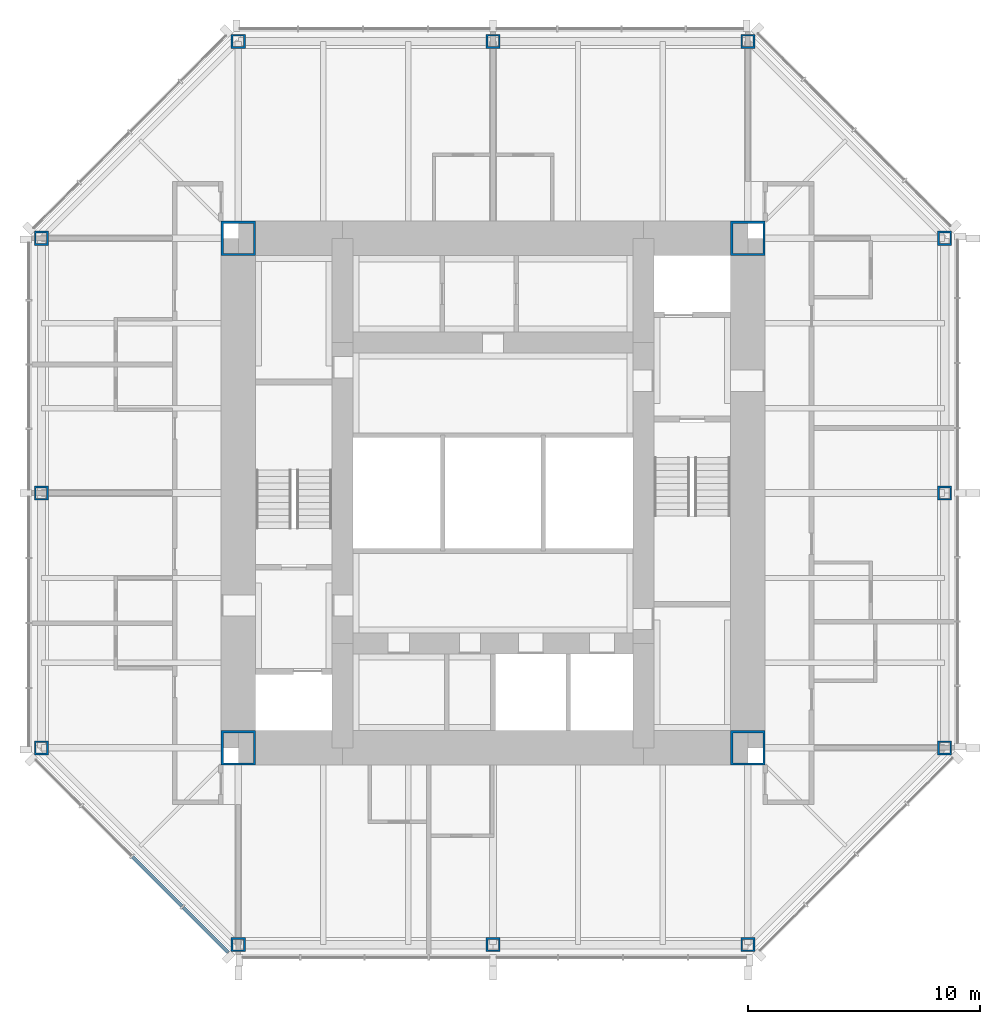
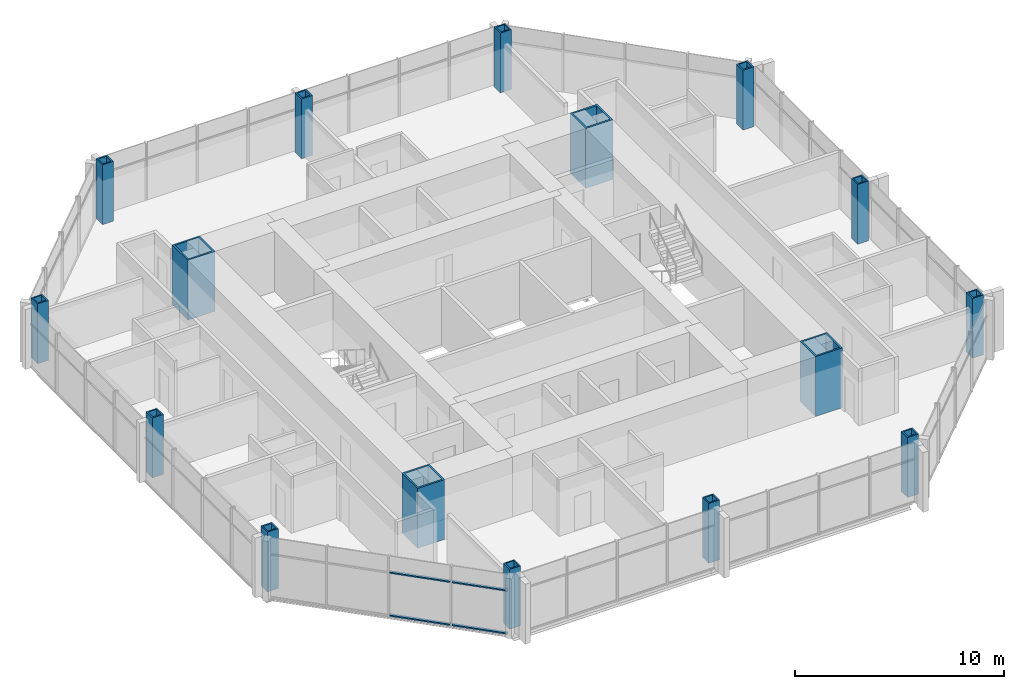
# One storey, part 1 of 11: 16 columns, 4 members, 1 element without a shape of its own.
"""IFC4 building model written with IfcOpenShell, lengths in metres."""

import ifcopenshell
import ifcopenshell.guid

model = None  # the IFC model being written
_history = None  # IfcOwnerHistory: only IFC2X3 demands one
_inside = {}  # id of a spatial element -> (the spatial element, [elements in it])
_under = {}  # id of a project, library or spatial element -> (it, [spatial elements below it])
_declared = {}  # id of a project -> (the project, [libraries it declares])
_typed = {}  # id of a type object -> (the type object, [elements of that type])
_made_of = {}  # id of a material, layer set ... -> (it, [elements and type objects made of it])


def new_model(schema):
    """Start an empty IFC model of exactly this schema.

    Asked for "IFC4X3", IfcOpenShell would pick the latest addendum, in which some entities
    have other attributes; the version numbers below select the first issue.
    IFC2X3 requires an IfcOwnerHistory on every rooted entity: one is made here for all.
    """
    global model, _history
    if schema == "IFC4X3":
        model = ifcopenshell.file(schema_version=(4, 3, 0, 0))
    else:
        model = ifcopenshell.file(schema=schema)
    _inside.clear()
    _under.clear()
    _declared.clear()
    _typed.clear()
    _made_of.clear()
    _history = None
    if model.schema == "IFC2X3":
        org = make("IfcOrganization", Name="unknown")
        user = make(
            "IfcPersonAndOrganization",
            ThePerson=make("IfcPerson", FamilyName="unknown"),
            TheOrganization=org,
        )
        app = make(
            "IfcApplication",
            ApplicationDeveloper=org,
            Version="unknown",
            ApplicationFullName="unknown",
            ApplicationIdentifier="unknown",
        )
        _history = make(
            "IfcOwnerHistory",
            OwningUser=user,
            OwningApplication=app,
            ChangeAction="ADDED",
            CreationDate=0,
        )
    return model


def make(cls, **values):
    """One entity of the class cls with the attributes given. An attribute that is None is left unset."""
    return model.create_entity(
        cls, **{name: value for name, value in values.items() if value is not None}
    )


def rooted(cls, **values):
    """An entity with a GlobalId (a new one), such as an element, a storey or a relation."""
    return make(cls, GlobalId=ifcopenshell.guid.new(), OwnerHistory=_history, **values)


def si_unit(unit_type, name, prefix=None):
    """IfcSIUnit, for example si_unit("LENGTHUNIT", "METRE", prefix="MILLI")."""
    return make("IfcSIUnit", UnitType=unit_type, Prefix=prefix, Name=name)


def assignment(units):
    """IfcUnitAssignment: the units of a project."""
    return None if units is None else make("IfcUnitAssignment", Units=units)


def point(xyz):
    """IfcCartesianPoint."""
    return None if xyz is None else make("IfcCartesianPoint", Coordinates=xyz)


def direction(xyz):
    """IfcDirection."""
    return None if xyz is None else make("IfcDirection", DirectionRatios=xyz)


def frame(location, z_axis=None, x_axis=None):
    """IfcAxis2Placement3D, a coordinate frame: its origin and axes. An axis left out is left unset."""
    return make(
        "IfcAxis2Placement3D",
        Location=point(location),
        Axis=direction(z_axis),
        RefDirection=direction(x_axis),
    )


def frame_2d(location, x_axis=None):
    """IfcAxis2Placement2D, a coordinate frame in the plane: its origin and x axis."""
    return make(
        "IfcAxis2Placement2D", Location=point(location), RefDirection=direction(x_axis)
    )


def origin():
    """The frame at (0, 0, 0) with its axes left unset."""
    return frame((0.0, 0.0, 0.0))


def origin_2d():
    """The frame at (0, 0) in the plane with its x axis left unset."""
    return frame_2d((0.0, 0.0))


def place(relative_to, where):
    """IfcLocalPlacement: puts the frame where relative to a parent placement (None: the world)."""
    return make(
        "IfcLocalPlacement", PlacementRelTo=relative_to, RelativePlacement=where
    )


def context(
    kind, dimensions, precision=None, world=None, true_north=None, identifier=None
):
    """IfcGeometricRepresentationContext, for example the 3D "Model" context."""
    return make(
        "IfcGeometricRepresentationContext",
        ContextIdentifier=identifier,
        ContextType=kind,
        CoordinateSpaceDimension=dimensions,
        Precision=precision,
        WorldCoordinateSystem=world,
        TrueNorth=true_north,
    )


def subcontext(parent, identifier, kind, view, scale=None):
    """IfcGeometricRepresentationSubContext, for example "Body" below "Model"."""
    return make(
        "IfcGeometricRepresentationSubContext",
        ContextIdentifier=identifier,
        ContextType=kind,
        ParentContext=parent,
        TargetScale=scale,
        TargetView=view,
    )


def project(units=None, contexts=None):
    """IfcProject with its units and contexts."""
    return rooted(
        "IfcProject",
        Name="project",
        RepresentationContexts=contexts,
        UnitsInContext=assignment(units),
    )


def spatial(cls, under=None, at=None, **own):
    """A site, building, storey or space (cls), placed at a placement, below another one or the project."""
    s = rooted(cls, ObjectPlacement=at, **own)
    if under is not None:
        _under.setdefault(under.id(), (under, []))[1].append(s)
    return s


def profile(cls, at=None, kind="AREA", **sizes):
    """A parametric profile (cls). Its sizes go by their IFC names, for example OverallWidth=200.0."""
    return make(cls, ProfileType=kind, Position=at, **sizes)


def rectangle(**sizes):
    """IfcRectangleProfileDef."""
    return profile("IfcRectangleProfileDef", **sizes)


def hollow_rectangle(**sizes):
    """IfcRectangleHollowProfileDef."""
    return profile("IfcRectangleHollowProfileDef", **sizes)


def extrude(swept, where, along, depth):
    """IfcExtrudedAreaSolid: the profile swept, set in the frame where, extruded along a direction by depth."""
    return make(
        "IfcExtrudedAreaSolid",
        SweptArea=swept,
        Position=where,
        ExtrudedDirection=direction(along),
        Depth=depth,
    )


def shape(context_of_items, identifier, shape_type, items):
    """IfcShapeRepresentation: the items that make up one representation, for example the "Body"."""
    return make(
        "IfcShapeRepresentation",
        ContextOfItems=context_of_items,
        RepresentationIdentifier=identifier,
        RepresentationType=shape_type,
        Items=items,
    )


def material(Name=None, Category=None):
    """IfcMaterial."""
    return make("IfcMaterial", Name=Name, Category=Category)


def material_profile(
    of_material, cross_section, Name=None, Category=None, Priority=None
):
    """IfcMaterialProfile: a cross section and its material."""
    return make(
        "IfcMaterialProfile",
        Name=Name,
        Material=of_material,
        Profile=cross_section,
        Priority=Priority,
        Category=Category,
    )


def profile_set(profiles, Name=None, composite=None):
    """IfcMaterialProfileSet."""
    return make(
        "IfcMaterialProfileSet",
        Name=Name,
        MaterialProfiles=profiles,
        CompositeProfile=composite,
    )


def made_of(thing, what):
    """Note that an element or type object is made of a material, layer set ...; save() writes the relation."""
    if what is not None:
        _made_of.setdefault(what.id(), (what, []))[1].append(thing)
    return thing


def type_object(cls, material=None, **own):
    """A type object (cls), such as IfcWallType, which elements share."""
    return made_of(rooted(cls, **own), material)


def element(
    cls,
    number,
    at=None,
    inside=None,
    cuts=None,
    type_object=None,
    material=None,
    context=None,
    identifier="Body",
    shape_type=None,
    held_by="IfcProductDefinitionShape",
    body=None,
    shapes=None,
    **own,
):
    """One element of the class cls, such as IfcWall. Its Tag is "e" and its number.

    at: its placement. inside: the storey or other place that contains it. cuts: it is an
    opening in that element (IfcRelVoidsElement). A single representation is given by context,
    identifier, shape_type and body (its items); several are given by shapes. held_by: the class
    of the entity that holds the representations. save() writes the other relations.
    """
    e = rooted(cls, Tag="e%d" % number, ObjectPlacement=at, **own)
    if body is not None:
        shapes = [shape(context, identifier, shape_type, body)]
    if shapes is not None:
        e.Representation = make(held_by, Representations=shapes)
    if inside is not None:
        _inside.setdefault(inside.id(), (inside, []))[1].append(e)
    if cuts is not None:
        rooted(
            "IfcRelVoidsElement", RelatingBuildingElement=cuts, RelatedOpeningElement=e
        )
    if type_object is not None:
        _typed.setdefault(type_object.id(), (type_object, []))[1].append(e)
    return made_of(e, material)


def aggregate(whole, parts):
    """IfcRelAggregates: a whole, such as a stair, and the parts it consists of."""
    return rooted("IfcRelAggregates", RelatingObject=whole, RelatedObjects=parts)


def save(model, path):
    """Write the relations noted so far, then the file.

    IfcRelAggregates (storeys below a building ...), IfcRelContainedInSpatialStructure (elements
    in a storey), IfcRelDefinesByType, IfcRelAssociatesMaterial and IfcRelDeclares: one each for
    every whole, place, type object, material and project.
    """
    for whole, parts in _under.values():
        aggregate(whole, parts)
    for where, things in _inside.values():
        rooted(
            "IfcRelContainedInSpatialStructure",
            RelatedElements=things,
            RelatingStructure=where,
        )
    for kind, things in _typed.values():
        rooted("IfcRelDefinesByType", RelatedObjects=things, RelatingType=kind)
    for what, things in _made_of.values():
        rooted("IfcRelAssociatesMaterial", RelatedObjects=things, RelatingMaterial=what)
    for by, libraries in _declared.values():
        rooted("IfcRelDeclares", RelatingContext=by, RelatedDefinitions=libraries)
    model.write(path)


model = new_model("IFC4")

# Units and contexts
model_context = context("Model", 3, precision=1e-05, world=origin(), true_north=direction((0.0, 1.0)))
body_context = subcontext(model_context, "Body", "Model", "MODEL_VIEW")
ifc_project = project(units=[si_unit("LENGTHUNIT", "METRE"), si_unit("AREAUNIT", "SQUARE_METRE"), si_unit("VOLUMEUNIT", "CUBIC_METRE"), si_unit("PLANEANGLEUNIT", "RADIAN"), si_unit("MASSUNIT", "GRAM", prefix="KILO")], contexts=[model_context])

# Site, building, storey
site_placement = place(None, origin())
site = spatial("IfcSite", under=ifc_project, at=site_placement, CompositionType="ELEMENT")
building_placement = place(site_placement, origin())
building = spatial("IfcBuilding", under=site, at=building_placement, Name="Trevanion Tower", CompositionType="ELEMENT")
storey_placement = place(building_placement, frame((0.0, 0.0, 225.699951171875)))
storey = spatial("IfcBuildingStorey", under=building, at=storey_placement, Name="L54", CompositionType="ELEMENT", Elevation=225.699951171875)

# Columns
ifc_material_1 = material(Name="Steel ASTM A572 Grade 50", Category="steel")
ifc_material_profile_1 = material_profile(ifc_material_1, hollow_rectangle(XDim=0.609619140625, YDim=0.609619140625, WallThickness=0.076171875, at=origin_2d()), Name="BOX24X24X3")
ifc_profile_set_1 = profile_set([ifc_material_profile_1], Name="Steel ASTM A572 Grade 50")
column_type_1 = type_object("IfcColumnType", Name="C5 BOX24X24X3", PredefinedType="COLUMN", material=ifc_profile_set_1)
for number, where, z_axis, x_axis, name in (
    (1, (-19.5, 0.0, 0.0), (0.0, 0.0, 1.0), (0.0, 1.0, 0.0), "C5 5/H L54"),
    (2, (-19.5, -11.0, 0.0), (0.0, 0.0, 1.0), (0.0, 1.0, 0.0), "C5 5/F L54"),
    (3, (-11.0, -19.5, 0.0), (0.0, 0.0, 1.0), (1.0, 0.0, 0.0), "C5 8/C L54"),
    (4, (0.0, -19.5, 0.0), (0.0, 0.0, 1.0), (1.0, 0.0, 0.0), "C5 10/C L54"),
    (5, (11.0, -19.5, 0.0), (0.0, 0.0, 1.0), (1.0, 0.0, 0.0), "C5 12/C L54"),
    (6, (19.5, -11.0, 0.0), (0.0, 0.0, 1.0), (0.0, 1.0, 0.0), "C5 15/F L54"),
    (7, (19.5, 0.0, 0.0), (0.0, 0.0, 1.0), (0.0, 1.0, 0.0), "C5 15/H L54"),
    (8, (19.5, 11.0, 0.0), (0.0, 0.0, 1.0), (0.0, 1.0, 0.0), "C5 15/K L54"),
    (9, (11.0, 19.5, 0.0), (0.0, 0.0, 1.0), (1.0, 0.0, 0.0), "C5 12/N L54"),
    (10, (0.0, 19.5, 0.0), (0.0, 0.0, 1.0), (1.0, 0.0, 0.0), "C5 10/N L54"),
    (11, (-11.0, 19.5, 0.0), (0.0, 0.0, 1.0), (1.0, 0.0, 0.0), "C5 8/N L54"),
    (12, (-19.5, 11.0, 0.0), (0.0, 0.0, 1.0), (0.0, 1.0, 0.0), "C5 5/K L54"),
):
    element("IfcColumn", number, at=place(storey_placement, frame(where, z_axis=z_axis, x_axis=x_axis)), inside=storey, type_object=column_type_1, Name=name, PredefinedType="COLUMN", context=body_context, shape_type="SweptSolid", body=[
        extrude(hollow_rectangle(XDim=0.609619140625, YDim=0.609619140625, WallThickness=0.076171875, at=origin_2d()), origin(), (0.0, 0.0, 1.0), 3.5),
    ])
ifc_material_2 = material(Name="Steel ASTM A572 Grade 50", Category="steel")
ifc_material_profile_2 = material_profile(ifc_material_2, hollow_rectangle(XDim=1.49853515625, YDim=1.49853515625, WallThickness=0.1015625, at=origin_2d()), Name="BOX59X59X4")
ifc_profile_set_2 = profile_set([ifc_material_profile_2], Name="Steel ASTM A572 Grade 50")
column_type_2 = type_object("IfcColumnType", Name="CB1 BOX59X59X4", PredefinedType="COLUMN", material=ifc_profile_set_2)
for number, where, z_axis, x_axis, name in (
    (13, (11.0, 11.0, 0.0), (0.0, 0.0, 1.0), (1.0, 0.0, 0.0), "CB1 NE L54"),
    (14, (-11.0, 11.0, 0.0), (0.0, 0.0, 1.0), (1.0, 0.0, 0.0), "CB1 NW L54"),
    (15, (-11.0, -11.0, 0.0), (0.0, 0.0, 1.0), (1.0, 0.0, 0.0), "CB1 SW L54"),
    (16, (11.0, -11.0, 0.0), (0.0, 0.0, 1.0), (1.0, 0.0, 0.0), "CB1 SE L54"),
):
    element("IfcColumn", number, at=place(storey_placement, frame(where, z_axis=z_axis, x_axis=x_axis)), inside=storey, type_object=column_type_2, Name=name, PredefinedType="COLUMN", context=body_context, shape_type="SweptSolid", body=[
        extrude(hollow_rectangle(XDim=1.49853515625, YDim=1.49853515625, WallThickness=0.1015625, at=origin_2d()), origin(), (0.0, 0.0, 1.0), 3.5),
    ])

# Curtain wall, members
ifc_material_3 = material(Name="Aluminium and glass", Category="aluminium")
curtain_wall_type = type_object("IfcCurtainWallType", Name="CW3 curtain wall", PredefinedType="USERDEFINED", material=ifc_material_3)
curtain_wall_placement = place(storey_placement, origin())
curtain_wall = element("IfcCurtainWall", 17, at=curtain_wall_placement, inside=storey, type_object=curtain_wall_type, Name="CW3 L54 5", ObjectType="UNITISED CURTAIN WALL", PredefinedType="USERDEFINED")
ifc_material_4 = material(Name="Aluminium extrusion, anodised bronze", Category="aluminium")
ifc_material_profile_3 = material_profile(ifc_material_4, rectangle(XDim=0.14990234375, YDim=0.074951171875, at=origin_2d()), Name="CW3 transom")
ifc_profile_set_3 = profile_set([ifc_material_profile_3], Name="Aluminium extrusion, anodised bronze")
member_type = type_object("IfcMemberType", Name="CW3 transom", PredefinedType="USERDEFINED", material=ifc_profile_set_3)
member_1_placement = place(storey_placement, frame((-15.56640625, -15.71142578125, -0.15234375), z_axis=(0.707106781187, -0.707106781187, 0.0), x_axis=(0.707106781187, 0.707106781187, 0.0)))
member_1 = element("IfcMember", 18, at=member_1_placement, type_object=member_type, Name="CW3 transom 3.1", ObjectType="TRANSOM", PredefinedType="USERDEFINED", context=body_context, shape_type="SweptSolid", body=[
    extrude(rectangle(XDim=0.14990234375, YDim=0.074951171875, at=origin_2d()), origin(), (0.0, 0.0, 1.0), 3.011474609375),
])
member_2_placement = place(storey_placement, frame((-15.56640625, -15.71142578125, 2.360107421875), z_axis=(0.707106781187, -0.707106781187, 0.0), x_axis=(0.707106781187, 0.707106781187, 0.0)))
member_2 = element("IfcMember", 19, at=member_2_placement, type_object=member_type, Name="CW3 transom 3.2", ObjectType="TRANSOM", PredefinedType="USERDEFINED", context=body_context, shape_type="SweptSolid", body=[
    extrude(rectangle(XDim=0.14990234375, YDim=0.074951171875, at=origin_2d()), origin(), (0.0, 0.0, 1.0), 3.011474609375),
])
member_3_placement = place(storey_placement, frame((-13.3837890625, -17.89404296875, -0.15234375), z_axis=(0.707106781187, -0.707106781187, 0.0), x_axis=(0.707106781187, 0.707106781187, 0.0)))
member_3 = element("IfcMember", 20, at=member_3_placement, type_object=member_type, Name="CW3 transom 4.1", ObjectType="TRANSOM", PredefinedType="USERDEFINED", context=body_context, shape_type="SweptSolid", body=[
    extrude(rectangle(XDim=0.14990234375, YDim=0.074951171875, at=origin_2d()), origin(), (0.0, 0.0, 1.0), 2.7490234375),
])
member_4_placement = place(storey_placement, frame((-13.3837890625, -17.89404296875, 2.360107421875), z_axis=(0.707106781187, -0.707106781187, 0.0), x_axis=(0.707106781187, 0.707106781187, 0.0)))
member_4 = element("IfcMember", 21, at=member_4_placement, type_object=member_type, Name="CW3 transom 4.2", ObjectType="TRANSOM", PredefinedType="USERDEFINED", context=body_context, shape_type="SweptSolid", body=[
    extrude(rectangle(XDim=0.14990234375, YDim=0.074951171875, at=origin_2d()), origin(), (0.0, 0.0, 1.0), 2.7490234375),
])
aggregate(curtain_wall, [member_1, member_2, member_3, member_4])

save(model, "model.ifc")
